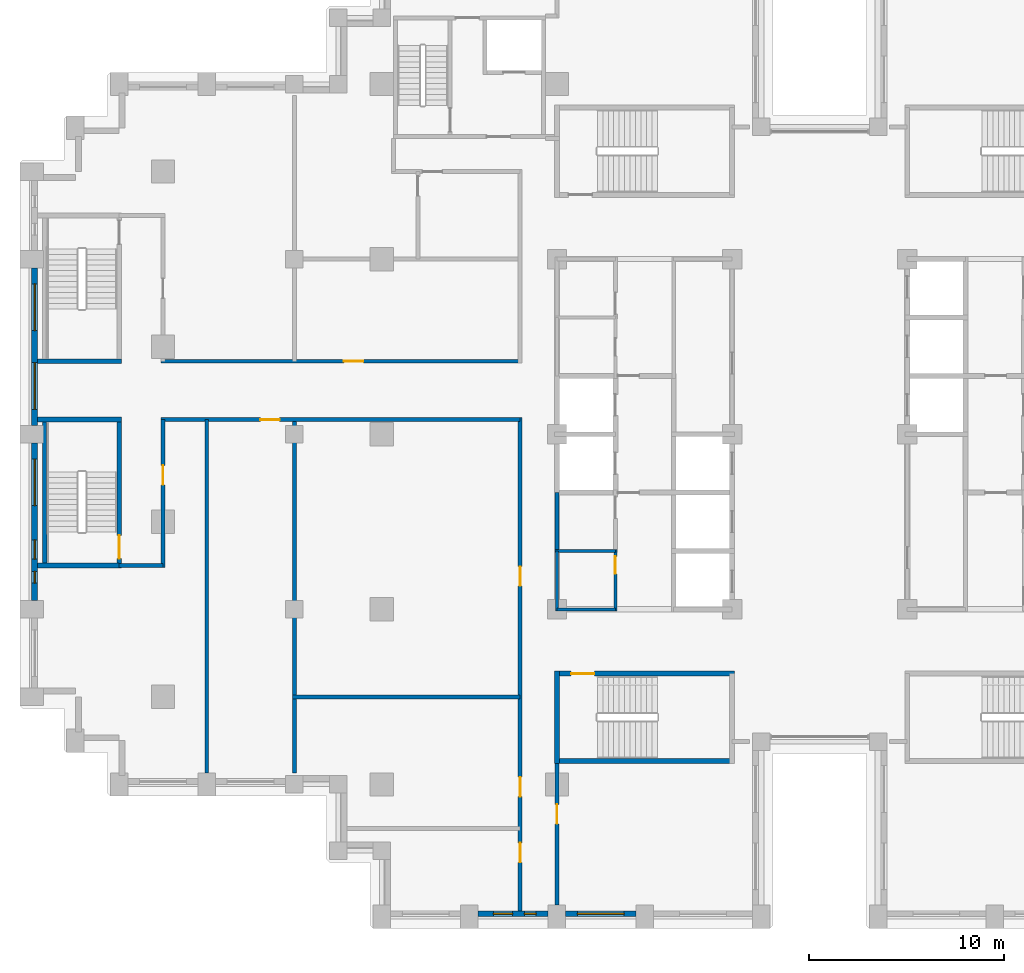
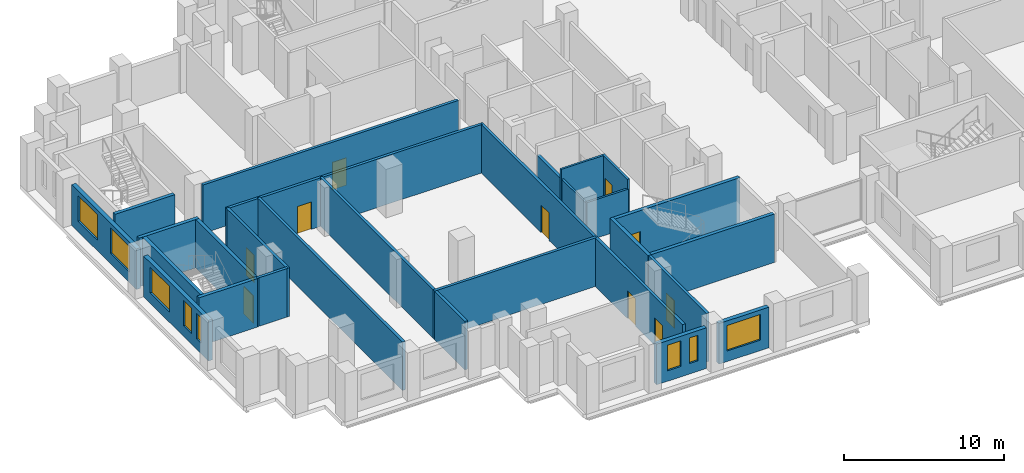
# One storey, part 6 of 15: 26 walls, 10 doors, 8 windows, 18 openings.
"""IFC4 building model written with IfcOpenShell, lengths in metres."""

from ifc_helpers import new_model, si_unit, direction, frame, frame_2d, origin, place, context, subcontext, project, spatial, rectangle, extrude, material, layer, layer_set, type_object, element, fill, save


model = new_model("IFC4")

# Units and contexts
model_context = context("Model", 3, precision=1e-05, world=origin(), true_north=direction((0.0, 1.0)))
body_context = subcontext(model_context, "Body", "Model", "MODEL_VIEW")
ifc_project = project(units=[si_unit("LENGTHUNIT", "METRE"), si_unit("AREAUNIT", "SQUARE_METRE"), si_unit("VOLUMEUNIT", "CUBIC_METRE"), si_unit("PLANEANGLEUNIT", "RADIAN"), si_unit("MASSUNIT", "GRAM", prefix="KILO")], contexts=[model_context])

# Site, building, storey
site_placement = place(None, origin())
site = spatial("IfcSite", under=ifc_project, at=site_placement, CompositionType="ELEMENT")
building_placement = place(site_placement, origin())
building = spatial("IfcBuilding", under=site, at=building_placement, Name="Corbelhall Arena Tower", CompositionType="ELEMENT")
storey_placement = place(building_placement, frame((0.0, 0.0, 80.0)))
storey = spatial("IfcBuildingStorey", under=building, at=storey_placement, Name="L12", CompositionType="ELEMENT", Elevation=80.0)

# Wall, openings, windows
ifc_material_1 = material(Name="Precast concrete C40/50 with granite facing", Category="masonry")
ifc_layer_1 = layer(ifc_material_1, 0.300048828125)
ifc_layer_set_1 = layer_set([ifc_layer_1], Name="EV-IW1 Infill panel 300")
wall_type_1 = type_object("IfcWallType", Name="EV-IW1 Infill panel 300", PredefinedType="SOLIDWALL", material=ifc_layer_set_1)
wall_1_placement = place(storey_placement, frame((-40.35009765625, 8.550048828125, 0.0), z_axis=(0.0, 0.0, 1.0), x_axis=(0.0, -1.0, 0.0)))
wall_1 = element("IfcWall", 1, at=wall_1_placement, inside=storey, type_object=wall_type_1, Name="Infill panel IW1", PredefinedType="SOLIDWALL", context=body_context, shape_type="SweptSolid", body=[
    extrude(rectangle(XDim=8.10009765625, YDim=0.300048828125, at=frame_2d((4.050048828125, 0.0))), origin(), (0.0, 0.0, 1.0), 3.10009765625),
])
opening_1_placement = place(wall_1_placement, frame((0.824951171875, 0.0, 0.800048828125)))
opening_1 = element("IfcOpeningElement", 2, at=opening_1_placement, cuts=wall_1, Name="Opening WN1", PredefinedType="OPENING", context=body_context, shape_type="SweptSolid", body=[
    extrude(rectangle(XDim=2.39990234375, YDim=1.949951171875, at=frame_2d((1.199951171875, 0.97509765625))), frame((0.0, 0.14990234375, 0.0), z_axis=(0.0, -1.0, 0.0), x_axis=(1.0, 0.0, 0.0)), (0.0, 0.0, 1.0), 0.300048828125),
])
opening_2_placement = place(wall_1_placement, frame((4.875, 0.0, 0.800048828125)))
opening_2 = element("IfcOpeningElement", 3, at=opening_2_placement, cuts=wall_1, Name="Opening WN1", PredefinedType="OPENING", context=body_context, shape_type="SweptSolid", body=[
    extrude(rectangle(XDim=2.39990234375, YDim=1.949951171875, at=frame_2d((1.199951171875, 0.97509765625))), frame((0.0, 0.14990234375, 0.0), z_axis=(0.0, -1.0, 0.0), x_axis=(1.0, 0.0, 0.0)), (0.0, 0.0, 1.0), 0.300048828125),
])
ifc_material_2 = material(Name="Aluminium black anodised", Category="aluminium")
window_type_1 = type_object("IfcWindowType", Name="EV-WN1 Office window", PartitioningType="SINGLE_PANEL", PredefinedType="WINDOW", material=ifc_material_2)
window_1_placement = place(opening_1_placement, origin())
window_1 = element("IfcWindow", 4, at=window_1_placement, inside=storey, type_object=window_type_1, Name="Window WN1", OverallHeight=1.949951171875, OverallWidth=2.39990234375, PartitioningType="SINGLE_PANEL", PredefinedType="WINDOW", context=body_context, shape_type="SweptSolid", body=[
    extrude(rectangle(XDim=2.39990234375, YDim=1.949951171875, at=frame_2d((1.199951171875, 0.97509765625))), frame((0.0, 0.030029296875, 0.0), z_axis=(0.0, -1.0, 0.0), x_axis=(1.0, 0.0, 0.0)), (0.0, 0.0, 1.0), 0.06005859375),
])
fill(opening_1, window_1)
window_2_placement = place(opening_2_placement, origin())
window_2 = element("IfcWindow", 5, at=window_2_placement, inside=storey, type_object=window_type_1, Name="Window WN1", OverallHeight=1.949951171875, OverallWidth=2.39990234375, PartitioningType="SINGLE_PANEL", PredefinedType="WINDOW", context=body_context, shape_type="SweptSolid", body=[
    extrude(rectangle(XDim=2.39990234375, YDim=1.949951171875, at=frame_2d((1.199951171875, 0.97509765625))), frame((0.0, 0.030029296875, 0.0), z_axis=(0.0, -1.0, 0.0), x_axis=(1.0, 0.0, 0.0)), (0.0, 0.0, 1.0), 0.06005859375),
])
fill(opening_2, window_2)

wall_2_placement = place(storey_placement, frame((-40.35009765625, -0.449951171875, 0.0), z_axis=(0.0, 0.0, 1.0), x_axis=(0.0, -1.0, 0.0)))
wall_2 = element("IfcWall", 6, at=wall_2_placement, inside=storey, type_object=wall_type_1, Name="Infill panel IW1", PredefinedType="SOLIDWALL", context=body_context, shape_type="SweptSolid", body=[
    extrude(rectangle(XDim=8.10009765625, YDim=0.300048828125, at=frame_2d((4.050048828125, 0.0))), origin(), (0.0, 0.0, 1.0), 3.10009765625),
])
opening_3_placement = place(wall_2_placement, frame((0.824951171875, 0.0, 0.800048828125)))
opening_3 = element("IfcOpeningElement", 7, at=opening_3_placement, cuts=wall_2, Name="Opening WN1", PredefinedType="OPENING", context=body_context, shape_type="SweptSolid", body=[
    extrude(rectangle(XDim=2.39990234375, YDim=1.949951171875, at=frame_2d((1.199951171875, 0.97509765625))), frame((0.0, 0.14990234375, 0.0), z_axis=(0.0, -1.0, 0.0), x_axis=(1.0, 0.0, 0.0)), (0.0, 0.0, 1.0), 0.300048828125),
])
opening_4_placement = place(wall_2_placement, frame((4.97509765625, 0.0, 0.800048828125)))
opening_4 = element("IfcOpeningElement", 8, at=opening_4_placement, cuts=wall_2, Name="Opening WN6", PredefinedType="OPENING", context=body_context, shape_type="SweptSolid", body=[
    extrude(rectangle(XDim=1.0, YDim=1.949951171875, at=frame_2d((0.5, 0.97509765625))), frame((0.0, 0.14990234375, 0.0), z_axis=(0.0, -1.0, 0.0), x_axis=(1.0, 0.0, 0.0)), (0.0, 0.0, 1.0), 0.300048828125),
])
opening_5_placement = place(wall_2_placement, frame((6.60009765625, 0.0, 0.800048828125)))
opening_5 = element("IfcOpeningElement", 9, at=opening_5_placement, cuts=wall_2, Name="Opening WN5", PredefinedType="OPENING", context=body_context, shape_type="SweptSolid", body=[
    extrude(rectangle(XDim=0.60009765625, YDim=1.949951171875, at=frame_2d((0.300048828125, 0.97509765625))), frame((0.0, 0.14990234375, 0.0), z_axis=(0.0, -1.0, 0.0), x_axis=(1.0, 0.0, 0.0)), (0.0, 0.0, 1.0), 0.300048828125),
])
window_3_placement = place(opening_3_placement, origin())
window_3 = element("IfcWindow", 10, at=window_3_placement, inside=storey, type_object=window_type_1, Name="Window WN1", OverallHeight=1.949951171875, OverallWidth=2.39990234375, PartitioningType="SINGLE_PANEL", PredefinedType="WINDOW", context=body_context, shape_type="SweptSolid", body=[
    extrude(rectangle(XDim=2.39990234375, YDim=1.949951171875, at=frame_2d((1.199951171875, 0.97509765625))), frame((0.0, 0.030029296875, 0.0), z_axis=(0.0, -1.0, 0.0), x_axis=(1.0, 0.0, 0.0)), (0.0, 0.0, 1.0), 0.06005859375),
])
fill(opening_3, window_3)
window_type_2 = type_object("IfcWindowType", Name="EV-WN5 Office window 600", PartitioningType="SINGLE_PANEL", PredefinedType="WINDOW", material=ifc_material_2)
window_4_placement = place(opening_5_placement, origin())
window_4 = element("IfcWindow", 11, at=window_4_placement, inside=storey, type_object=window_type_2, Name="Window WN5", OverallHeight=1.949951171875, OverallWidth=0.60009765625, PartitioningType="SINGLE_PANEL", PredefinedType="WINDOW", context=body_context, shape_type="SweptSolid", body=[
    extrude(rectangle(XDim=0.60009765625, YDim=1.949951171875, at=frame_2d((0.300048828125, 0.97509765625))), frame((0.0, 0.030029296875, 0.0), z_axis=(0.0, -1.0, 0.0), x_axis=(1.0, 0.0, 0.0)), (0.0, 0.0, 1.0), 0.06005859375),
])
fill(opening_5, window_4)
window_type_3 = type_object("IfcWindowType", Name="EV-WN6 Office window 1000", PartitioningType="SINGLE_PANEL", PredefinedType="WINDOW", material=ifc_material_2)
window_5_placement = place(opening_4_placement, origin())
window_5 = element("IfcWindow", 12, at=window_5_placement, inside=storey, type_object=window_type_3, Name="Window WN6", OverallHeight=1.949951171875, OverallWidth=1.0, PartitioningType="SINGLE_PANEL", PredefinedType="WINDOW", context=body_context, shape_type="SweptSolid", body=[
    extrude(rectangle(XDim=1.0, YDim=1.949951171875, at=frame_2d((0.5, 0.97509765625))), frame((0.0, 0.030029296875, 0.0), z_axis=(0.0, -1.0, 0.0), x_axis=(1.0, 0.0, 0.0)), (0.0, 0.0, 1.0), 0.06005859375),
])
fill(opening_4, window_5)

wall_3_placement = place(storey_placement, frame((-17.550048828125, -24.64990234375, 0.0), z_axis=(0.0, 0.0, 1.0), x_axis=(1.0, 0.0, 0.0)))
wall_3 = element("IfcWall", 13, at=wall_3_placement, inside=storey, type_object=wall_type_1, Name="Infill panel IW1", PredefinedType="SOLIDWALL", context=body_context, shape_type="SweptSolid", body=[
    extrude(rectangle(XDim=3.60009765625, YDim=0.300048828125, at=frame_2d((1.800048828125, 0.0))), origin(), (0.0, 0.0, 1.0), 3.10009765625),
])
opening_6_placement = place(wall_3_placement, frame((0.77490234375, 0.0, 0.800048828125)))
opening_6 = element("IfcOpeningElement", 14, at=opening_6_placement, cuts=wall_3, Name="Opening WN6", PredefinedType="OPENING", context=body_context, shape_type="SweptSolid", body=[
    extrude(rectangle(XDim=1.0, YDim=1.949951171875, at=frame_2d((0.5, 0.97509765625))), frame((0.0, 0.14990234375, 0.0), z_axis=(0.0, -1.0, 0.0), x_axis=(1.0, 0.0, 0.0)), (0.0, 0.0, 1.0), 0.300048828125),
])
opening_7_placement = place(wall_3_placement, frame((2.375, 0.0, 0.800048828125)))
opening_7 = element("IfcOpeningElement", 15, at=opening_7_placement, cuts=wall_3, Name="Opening WN5", PredefinedType="OPENING", context=body_context, shape_type="SweptSolid", body=[
    extrude(rectangle(XDim=0.60009765625, YDim=1.949951171875, at=frame_2d((0.300048828125, 0.97509765625))), frame((0.0, 0.14990234375, 0.0), z_axis=(0.0, -1.0, 0.0), x_axis=(1.0, 0.0, 0.0)), (0.0, 0.0, 1.0), 0.300048828125),
])
window_6_placement = place(opening_7_placement, origin())
window_6 = element("IfcWindow", 16, at=window_6_placement, inside=storey, type_object=window_type_2, Name="Window WN5", OverallHeight=1.949951171875, OverallWidth=0.60009765625, PartitioningType="SINGLE_PANEL", PredefinedType="WINDOW", context=body_context, shape_type="SweptSolid", body=[
    extrude(rectangle(XDim=0.60009765625, YDim=1.949951171875, at=frame_2d((0.300048828125, 0.97509765625))), frame((0.0, 0.030029296875, 0.0), z_axis=(0.0, -1.0, 0.0), x_axis=(1.0, 0.0, 0.0)), (0.0, 0.0, 1.0), 0.06005859375),
])
fill(opening_7, window_6)
window_7_placement = place(opening_6_placement, origin())
window_7 = element("IfcWindow", 17, at=window_7_placement, inside=storey, type_object=window_type_3, Name="Window WN6", OverallHeight=1.949951171875, OverallWidth=1.0, PartitioningType="SINGLE_PANEL", PredefinedType="WINDOW", context=body_context, shape_type="SweptSolid", body=[
    extrude(rectangle(XDim=1.0, YDim=1.949951171875, at=frame_2d((0.5, 0.97509765625))), frame((0.0, 0.030029296875, 0.0), z_axis=(0.0, -1.0, 0.0), x_axis=(1.0, 0.0, 0.0)), (0.0, 0.0, 1.0), 0.06005859375),
])
fill(opening_6, window_7)

# Wall, opening, window
wall_4_placement = place(storey_placement, frame((-13.050048828125, -24.64990234375, 0.0), z_axis=(0.0, 0.0, 1.0), x_axis=(1.0, 0.0, 0.0)))
wall_4 = element("IfcWall", 18, at=wall_4_placement, inside=storey, type_object=wall_type_1, Name="Infill panel IW1", PredefinedType="SOLIDWALL", context=body_context, shape_type="SweptSolid", body=[
    extrude(rectangle(XDim=3.60009765625, YDim=0.300048828125, at=frame_2d((1.800048828125, 0.0))), origin(), (0.0, 0.0, 1.0), 3.10009765625),
])
opening_8_placement = place(wall_4_placement, frame((0.60009765625, 0.0, 0.800048828125)))
opening_8 = element("IfcOpeningElement", 19, at=opening_8_placement, cuts=wall_4, Name="Opening WN1", PredefinedType="OPENING", context=body_context, shape_type="SweptSolid", body=[
    extrude(rectangle(XDim=2.39990234375, YDim=1.949951171875, at=frame_2d((1.199951171875, 0.97509765625))), frame((0.0, 0.14990234375, 0.0), z_axis=(0.0, -1.0, 0.0), x_axis=(1.0, 0.0, 0.0)), (0.0, 0.0, 1.0), 0.300048828125),
])
window_8_placement = place(opening_8_placement, origin())
window_8 = element("IfcWindow", 20, at=window_8_placement, inside=storey, type_object=window_type_1, Name="Window WN1", OverallHeight=1.949951171875, OverallWidth=2.39990234375, PartitioningType="SINGLE_PANEL", PredefinedType="WINDOW", context=body_context, shape_type="SweptSolid", body=[
    extrude(rectangle(XDim=2.39990234375, YDim=1.949951171875, at=frame_2d((1.199951171875, 0.97509765625))), frame((0.0, 0.030029296875, 0.0), z_axis=(0.0, -1.0, 0.0), x_axis=(1.0, 0.0, 0.0)), (0.0, 0.0, 1.0), 0.06005859375),
])
fill(opening_8, window_8)

# Wall, opening, door
ifc_material_3 = material(Name="Gypsum board on steel stud, acoustic", Category="steel")
ifc_layer_2 = layer(ifc_material_3, 0.199951171875)
ifc_layer_set_2 = layer_set([ifc_layer_2], Name="IN-W-DM200")
wall_type_2 = type_object("IfcWallType", Name="IN-W-DM200", PredefinedType="PARTITIONING", material=ifc_layer_set_2)
wall_5_placement = place(storey_placement, frame((-33.85009765625, 3.75, 0.0), z_axis=(0.0, 0.0, 1.0), x_axis=(1.0, 0.0, 0.0)))
wall_5 = element("IfcWall", 21, at=wall_5_placement, inside=storey, type_object=wall_type_2, Name="Partition 002", PredefinedType="PARTITIONING", context=body_context, shape_type="SweptSolid", body=[
    extrude(rectangle(XDim=18.4501953125, YDim=0.199951171875, at=frame_2d((9.22509765625, 0.0))), origin(), (0.0, 0.0, 1.0), 3.699951171875),
])
opening_9_placement = place(wall_5_placement, frame((9.39990234375, 0.0, 0.0)))
opening_9 = element("IfcOpeningElement", 22, at=opening_9_placement, cuts=wall_5, Name="Opening 02026", PredefinedType="OPENING", context=body_context, shape_type="SweptSolid", body=[
    extrude(rectangle(XDim=1.0, YDim=2.10009765625, at=frame_2d((0.5, 1.050048828125))), frame((0.0, 0.10009765625, 0.0), z_axis=(0.0, -1.0, 0.0), x_axis=(1.0, 0.0, 0.0)), (0.0, 0.0, 1.0), 0.199951171875),
])
ifc_material_4 = material(Name="Steel door set", Category="steel")
door_type_1 = type_object("IfcDoorType", Name="IN-D-SW100", OperationType="NOTDEFINED", PredefinedType="DOOR", material=ifc_material_4)
door_1_placement = place(opening_9_placement, origin())
door_1 = element("IfcDoor", 23, at=door_1_placement, inside=storey, type_object=door_type_1, Name="Door 026", OperationType="SINGLE_SWING_LEFT", OverallHeight=2.10009765625, OverallWidth=1.0, PredefinedType="DOOR", context=body_context, shape_type="SweptSolid", body=[
    extrude(rectangle(XDim=1.0, YDim=2.10009765625, at=frame_2d((0.5, 1.050048828125))), frame((0.0, 0.02490234375, 0.0), z_axis=(0.0, -1.0, 0.0), x_axis=(1.0, 0.0, 0.0)), (0.0, 0.0, 1.0), 0.050048828125),
])
fill(opening_9, door_1)

# Wall
wall_6_placement = place(storey_placement, frame((-33.75, -6.75, 0.0), z_axis=(0.0, 0.0, 1.0), x_axis=(-1.0, 0.0, 0.0)))
element("IfcWall", 24, at=wall_6_placement, inside=storey, type_object=wall_type_2, Name="Partition 003", PredefinedType="PARTITIONING", context=body_context, shape_type="SweptSolid", body=[
    extrude(rectangle(XDim=2.25, YDim=0.199951171875, at=frame_2d((1.125, 0.0))), origin(), (0.0, 0.0, 1.0), 3.699951171875),
])

# Wall, opening, door
wall_7_placement = place(storey_placement, frame((-33.75, 0.75, 0.0), z_axis=(0.0, 0.0, 1.0), x_axis=(0.0, -1.0, 0.0)))
wall_7 = element("IfcWall", 25, at=wall_7_placement, inside=storey, type_object=wall_type_2, Name="Partition 004", PredefinedType="PARTITIONING", context=body_context, shape_type="SweptSolid", body=[
    extrude(rectangle(XDim=7.60009765625, YDim=0.199951171875, at=frame_2d((3.800048828125, 0.0))), origin(), (0.0, 0.0, 1.0), 3.699951171875),
])
opening_10_placement = place(wall_7_placement, frame((2.35009765625, 0.0, 0.0)))
opening_10 = element("IfcOpeningElement", 26, at=opening_10_placement, cuts=wall_7, Name="Opening 02038", PredefinedType="OPENING", context=body_context, shape_type="SweptSolid", body=[
    extrude(rectangle(XDim=1.0, YDim=2.10009765625, at=frame_2d((0.5, 1.050048828125))), frame((0.0, 0.10009765625, 0.0), z_axis=(0.0, -1.0, 0.0), x_axis=(1.0, 0.0, 0.0)), (0.0, 0.0, 1.0), 0.199951171875),
])
door_2_placement = place(opening_10_placement, origin())
door_2 = element("IfcDoor", 27, at=door_2_placement, inside=storey, type_object=door_type_1, Name="Door 038", OperationType="SINGLE_SWING_LEFT", OverallHeight=2.10009765625, OverallWidth=1.0, PredefinedType="DOOR", context=body_context, shape_type="SweptSolid", body=[
    extrude(rectangle(XDim=1.0, YDim=2.10009765625, at=frame_2d((0.5, 1.050048828125))), frame((0.0, 0.02490234375, 0.0), z_axis=(0.0, -1.0, 0.0), x_axis=(1.0, 0.0, 0.0)), (0.0, 0.0, 1.0), 0.050048828125),
])
fill(opening_10, door_2)

# Wall
wall_8_placement = place(storey_placement, frame((-31.5, 0.75, 0.0), z_axis=(0.0, 0.0, 1.0), x_axis=(0.0, -1.0, 0.0)))
element("IfcWall", 28, at=wall_8_placement, inside=storey, type_object=wall_type_2, Name="Partition 006", PredefinedType="PARTITIONING", context=body_context, shape_type="SweptSolid", body=[
    extrude(rectangle(XDim=18.14990234375, YDim=0.199951171875, at=frame_2d((9.074951171875, 0.0))), origin(), (0.0, 0.0, 1.0), 3.699951171875),
])

# Wall, opening, door
wall_9_placement = place(storey_placement, frame((-15.39990234375, 0.75, 0.0), z_axis=(0.0, 0.0, 1.0), x_axis=(-1.0, 0.0, 0.0)))
wall_9 = element("IfcWall", 29, at=wall_9_placement, inside=storey, type_object=wall_type_2, Name="Partition 007", PredefinedType="PARTITIONING", context=body_context, shape_type="SweptSolid", body=[
    extrude(rectangle(XDim=18.4501953125, YDim=0.199951171875, at=frame_2d((9.22509765625, 0.0))), origin(), (0.0, 0.0, 1.0), 3.699951171875),
])
opening_11_placement = place(wall_9_placement, frame((12.35009765625, 0.0, 0.0)))
opening_11 = element("IfcOpeningElement", 30, at=opening_11_placement, cuts=wall_9, Name="Opening 02039", PredefinedType="OPENING", context=body_context, shape_type="SweptSolid", body=[
    extrude(rectangle(XDim=1.0, YDim=2.10009765625, at=frame_2d((0.5, 1.050048828125))), frame((0.0, 0.10009765625, 0.0), z_axis=(0.0, -1.0, 0.0), x_axis=(1.0, 0.0, 0.0)), (0.0, 0.0, 1.0), 0.199951171875),
])
door_3_placement = place(opening_11_placement, origin())
door_3 = element("IfcDoor", 31, at=door_3_placement, inside=storey, type_object=door_type_1, Name="Door 039", OperationType="SINGLE_SWING_RIGHT", OverallHeight=2.10009765625, OverallWidth=1.0, PredefinedType="DOOR", context=body_context, shape_type="SweptSolid", body=[
    extrude(rectangle(XDim=1.0, YDim=2.10009765625, at=frame_2d((0.5, 1.050048828125))), frame((0.0, 0.02490234375, 0.0), z_axis=(0.0, -1.0, 0.0), x_axis=(1.0, 0.0, 0.0)), (0.0, 0.0, 1.0), 0.050048828125),
])
fill(opening_11, door_3)

# Walls
wall_10_placement = place(storey_placement, frame((-27.10009765625, -13.5, 0.0), z_axis=(0.0, 0.0, 1.0), x_axis=(1.0, 0.0, 0.0)))
element("IfcWall", 32, at=wall_10_placement, inside=storey, type_object=wall_type_2, Name="Partition 008", PredefinedType="PARTITIONING", context=body_context, shape_type="SweptSolid", body=[
    extrude(rectangle(XDim=11.7001953125, YDim=0.199951171875, at=frame_2d((5.85009765625, 0.0))), origin(), (0.0, 0.0, 1.0), 3.699951171875),
])
wall_11_placement = place(storey_placement, frame((-27.0, -17.39990234375, 0.0), z_axis=(0.0, 0.0, 1.0), x_axis=(0.0, 1.0, 0.0)))
element("IfcWall", 33, at=wall_11_placement, inside=storey, type_object=wall_type_2, Name="Partition 010", PredefinedType="PARTITIONING", context=body_context, shape_type="SweptSolid", body=[
    extrude(rectangle(XDim=18.14990234375, YDim=0.199951171875, at=frame_2d((9.074951171875, 0.0))), origin(), (0.0, 0.0, 1.0), 3.699951171875),
])

# Wall, openings, doors
wall_12_placement = place(storey_placement, frame((-15.39990234375, -24.5, 0.0), z_axis=(0.0, 0.0, 1.0), x_axis=(0.0, 1.0, 0.0)))
wall_12 = element("IfcWall", 34, at=wall_12_placement, inside=storey, type_object=wall_type_2, Name="Partition 016", PredefinedType="PARTITIONING", context=body_context, shape_type="SweptSolid", body=[
    extrude(rectangle(XDim=25.35009765625, YDim=0.199951171875, at=frame_2d((12.675048828125, 0.0))), origin(), (0.0, 0.0, 1.0), 3.699951171875),
])
opening_12_placement = place(wall_12_placement, frame((2.5, 0.0, 0.0)))
opening_12 = element("IfcOpeningElement", 35, at=opening_12_placement, cuts=wall_12, Name="Opening 02029", PredefinedType="OPENING", context=body_context, shape_type="SweptSolid", body=[
    extrude(rectangle(XDim=1.0, YDim=2.10009765625, at=frame_2d((0.5, 1.050048828125))), frame((0.0, 0.10009765625, 0.0), z_axis=(0.0, -1.0, 0.0), x_axis=(1.0, 0.0, 0.0)), (0.0, 0.0, 1.0), 0.199951171875),
])
opening_13_placement = place(wall_12_placement, frame((5.875, 0.0, 0.0)))
opening_13 = element("IfcOpeningElement", 36, at=opening_13_placement, cuts=wall_12, Name="Opening 02030", PredefinedType="OPENING", context=body_context, shape_type="SweptSolid", body=[
    extrude(rectangle(XDim=1.0, YDim=2.10009765625, at=frame_2d((0.5, 1.050048828125))), frame((0.0, 0.10009765625, 0.0), z_axis=(0.0, -1.0, 0.0), x_axis=(1.0, 0.0, 0.0)), (0.0, 0.0, 1.0), 0.199951171875),
])
opening_14_placement = place(wall_12_placement, frame((16.699951171875, 0.0, 0.0)))
opening_14 = element("IfcOpeningElement", 37, at=opening_14_placement, cuts=wall_12, Name="Opening 02031", PredefinedType="OPENING", context=body_context, shape_type="SweptSolid", body=[
    extrude(rectangle(XDim=1.0, YDim=2.10009765625, at=frame_2d((0.5, 1.050048828125))), frame((0.0, 0.10009765625, 0.0), z_axis=(0.0, -1.0, 0.0), x_axis=(1.0, 0.0, 0.0)), (0.0, 0.0, 1.0), 0.199951171875),
])
door_4_placement = place(opening_12_placement, origin())
door_4 = element("IfcDoor", 38, at=door_4_placement, inside=storey, type_object=door_type_1, Name="Door 029", OperationType="SINGLE_SWING_RIGHT", OverallHeight=2.10009765625, OverallWidth=1.0, PredefinedType="DOOR", context=body_context, shape_type="SweptSolid", body=[
    extrude(rectangle(XDim=1.0, YDim=2.10009765625, at=frame_2d((0.5, 1.050048828125))), frame((0.0, 0.02490234375, 0.0), z_axis=(0.0, -1.0, 0.0), x_axis=(1.0, 0.0, 0.0)), (0.0, 0.0, 1.0), 0.050048828125),
])
fill(opening_12, door_4)
door_5_placement = place(opening_13_placement, origin())
door_5 = element("IfcDoor", 39, at=door_5_placement, inside=storey, type_object=door_type_1, Name="Door 030", OperationType="SINGLE_SWING_LEFT", OverallHeight=2.10009765625, OverallWidth=1.0, PredefinedType="DOOR", context=body_context, shape_type="SweptSolid", body=[
    extrude(rectangle(XDim=1.0, YDim=2.10009765625, at=frame_2d((0.5, 1.050048828125))), frame((0.0, 0.02490234375, 0.0), z_axis=(0.0, -1.0, 0.0), x_axis=(1.0, 0.0, 0.0)), (0.0, 0.0, 1.0), 0.050048828125),
])
fill(opening_13, door_5)
door_6_placement = place(opening_14_placement, origin())
door_6 = element("IfcDoor", 40, at=door_6_placement, inside=storey, type_object=door_type_1, Name="Door 031", OperationType="SINGLE_SWING_RIGHT", OverallHeight=2.10009765625, OverallWidth=1.0, PredefinedType="DOOR", context=body_context, shape_type="SweptSolid", body=[
    extrude(rectangle(XDim=1.0, YDim=2.10009765625, at=frame_2d((0.5, 1.050048828125))), frame((0.0, 0.02490234375, 0.0), z_axis=(0.0, -1.0, 0.0), x_axis=(1.0, 0.0, 0.0)), (0.0, 0.0, 1.0), 0.050048828125),
])
fill(opening_14, door_6)

# Wall, opening, door
wall_13_placement = place(storey_placement, frame((-13.5, -16.675048828125, 0.0), z_axis=(0.0, 0.0, 1.0), x_axis=(0.0, -1.0, 0.0)))
wall_13 = element("IfcWall", 41, at=wall_13_placement, inside=storey, type_object=wall_type_2, Name="Partition 019", PredefinedType="PARTITIONING", context=body_context, shape_type="SweptSolid", body=[
    extrude(rectangle(XDim=7.52490234375, YDim=0.199951171875, at=frame_2d((3.762451171875, 0.0))), origin(), (0.0, 0.0, 1.0), 3.699951171875),
])
opening_15_placement = place(wall_13_placement, frame((2.35009765625, 0.0, 0.0)))
opening_15 = element("IfcOpeningElement", 42, at=opening_15_placement, cuts=wall_13, Name="Opening 02024", PredefinedType="OPENING", context=body_context, shape_type="SweptSolid", body=[
    extrude(rectangle(XDim=1.0, YDim=2.10009765625, at=frame_2d((0.5, 1.050048828125))), frame((0.0, 0.10009765625, 0.0), z_axis=(0.0, -1.0, 0.0), x_axis=(1.0, 0.0, 0.0)), (0.0, 0.0, 1.0), 0.199951171875),
])
door_7_placement = place(opening_15_placement, origin())
door_7 = element("IfcDoor", 43, at=door_7_placement, inside=storey, type_object=door_type_1, Name="Door 024", OperationType="SINGLE_SWING_LEFT", OverallHeight=2.10009765625, OverallWidth=1.0, PredefinedType="DOOR", context=body_context, shape_type="SweptSolid", body=[
    extrude(rectangle(XDim=1.0, YDim=2.10009765625, at=frame_2d((0.5, 1.050048828125))), frame((0.0, 0.02490234375, 0.0), z_axis=(0.0, -1.0, 0.0), x_axis=(1.0, 0.0, 0.0)), (0.0, 0.0, 1.0), 0.050048828125),
])
fill(opening_15, door_7)

# Walls
ifc_material_5 = material(Name="Concrete block wall", Category="concrete")
ifc_layer_3 = layer(ifc_material_5, 0.199951171875)
ifc_layer_set_3 = layer_set([ifc_layer_3], Name="IN-W-RS200 under beam 762 mm")
wall_type_3 = type_object("IfcWallType", Name="IN-W-RS200 under beam 762 mm", PredefinedType="SOLIDWALL", material=ifc_layer_set_3)
wall_14_placement = place(storey_placement, frame((-13.5, -6.0, 0.0), z_axis=(0.0, 0.0, 1.0), x_axis=(0.0, 1.0, 0.0)))
element("IfcWall", 44, at=wall_14_placement, inside=storey, type_object=wall_type_3, Name="Partition 042", PredefinedType="SOLIDWALL", context=body_context, shape_type="SweptSolid", body=[
    extrude(rectangle(XDim=3.0, YDim=0.199951171875, at=frame_2d((1.5, 0.0))), origin(), (0.0, 0.0, 1.0), 2.93798828125),
])
ifc_material_6 = material(Name="Concrete C40/50", Category="concrete")
ifc_layer_4 = layer(ifc_material_6, 0.25)
ifc_layer_set_4 = layer_set([ifc_layer_4], Name="IN-W-ST250")
wall_type_4 = type_object("IfcWallType", Name="IN-W-ST250", PredefinedType="SOLIDWALL", material=ifc_layer_set_4)
wall_15_placement = place(storey_placement, frame((-40.199951171875, 3.75, 0.0), z_axis=(0.0, 0.0, 1.0), x_axis=(1.0, 0.0, 0.0)))
element("IfcWall", 45, at=wall_15_placement, inside=storey, type_object=wall_type_4, Name="Shaft wall 079", PredefinedType="SOLIDWALL", context=body_context, shape_type="SweptSolid", body=[
    extrude(rectangle(XDim=4.324951171875, YDim=0.25, at=frame_2d((2.16259765625, 0.0))), origin(), (0.0, 0.0, 1.0), 3.699951171875),
])
wall_16_placement = place(storey_placement, frame((-36.0, -6.75, 0.0), z_axis=(0.0, 0.0, 1.0), x_axis=(-1.0, 0.0, 0.0)))
element("IfcWall", 46, at=wall_16_placement, inside=storey, type_object=wall_type_4, Name="Shaft wall 081", PredefinedType="SOLIDWALL", context=body_context, shape_type="SweptSolid", body=[
    extrude(rectangle(XDim=4.199951171875, YDim=0.25, at=frame_2d((2.10009765625, 0.0))), origin(), (0.0, 0.0, 1.0), 3.699951171875),
])

# Wall, opening, door
wall_17_placement = place(storey_placement, frame((-36.0, 0.75, 0.0), z_axis=(0.0, 0.0, 1.0), x_axis=(0.0, -1.0, 0.0)))
wall_17 = element("IfcWall", 47, at=wall_17_placement, inside=storey, type_object=wall_type_4, Name="Shaft wall 082", PredefinedType="SOLIDWALL", context=body_context, shape_type="SweptSolid", body=[
    extrude(rectangle(XDim=7.625, YDim=0.25, at=frame_2d((3.8125, 0.0))), origin(), (0.0, 0.0, 1.0), 3.699951171875),
])
opening_16_placement = place(wall_17_placement, frame((5.949951171875, 0.0, 0.0)))
opening_16 = element("IfcOpeningElement", 48, at=opening_16_placement, cuts=wall_17, Name="Opening 02019", PredefinedType="OPENING", context=body_context, shape_type="SweptSolid", body=[
    extrude(rectangle(XDim=1.199951171875, YDim=2.10009765625, at=frame_2d((0.60009765625, 1.050048828125))), frame((0.0, 0.125, 0.0), z_axis=(0.0, -1.0, 0.0), x_axis=(1.0, 0.0, 0.0)), (0.0, 0.0, 1.0), 0.25),
])
door_type_2 = type_object("IfcDoorType", Name="IN-D-ST120", OperationType="NOTDEFINED", PredefinedType="DOOR", material=ifc_material_4)
door_8_placement = place(opening_16_placement, origin())
door_8 = element("IfcDoor", 49, at=door_8_placement, inside=storey, type_object=door_type_2, Name="Door 019", OperationType="SINGLE_SWING_RIGHT", OverallHeight=2.10009765625, OverallWidth=1.199951171875, PredefinedType="DOOR", context=body_context, shape_type="SweptSolid", body=[
    extrude(rectangle(XDim=1.199951171875, YDim=2.10009765625, at=frame_2d((0.60009765625, 1.050048828125))), frame((0.0, 0.02490234375, 0.0), z_axis=(0.0, -1.0, 0.0), x_axis=(1.0, 0.0, 0.0)), (0.0, 0.0, 1.0), 0.050048828125),
])
fill(opening_16, door_8)

# Walls
wall_18_placement = place(storey_placement, frame((-35.875, 0.75, 0.0), z_axis=(0.0, 0.0, 1.0), x_axis=(-1.0, 0.0, 0.0)))
element("IfcWall", 50, at=wall_18_placement, inside=storey, type_object=wall_type_4, Name="Shaft wall 084", PredefinedType="SOLIDWALL", context=body_context, shape_type="SweptSolid", body=[
    extrude(rectangle(XDim=4.324951171875, YDim=0.25, at=frame_2d((2.16259765625, 0.0))), origin(), (0.0, 0.0, 1.0), 3.699951171875),
])
wall_19_placement = place(storey_placement, frame((-13.5, -12.175048828125, 0.0), z_axis=(0.0, 0.0, 1.0), x_axis=(0.0, -1.0, 0.0)))
element("IfcWall", 51, at=wall_19_placement, inside=storey, type_object=wall_type_4, Name="Shaft wall 085", PredefinedType="SOLIDWALL", context=body_context, shape_type="SweptSolid", body=[
    extrude(rectangle(XDim=4.75, YDim=0.25, at=frame_2d((2.375, 0.0))), origin(), (0.0, 0.0, 1.0), 3.699951171875),
])
wall_20_placement = place(storey_placement, frame((-4.5, -16.800048828125, 0.0), z_axis=(0.0, 0.0, 1.0), x_axis=(-1.0, 0.0, 0.0)))
element("IfcWall", 52, at=wall_20_placement, inside=storey, type_object=wall_type_4, Name="Shaft wall 089", PredefinedType="SOLIDWALL", context=body_context, shape_type="SweptSolid", body=[
    extrude(rectangle(XDim=9.0, YDim=0.25, at=frame_2d((4.5, 0.0))), origin(), (0.0, 0.0, 1.0), 3.699951171875),
])

# Wall, opening, door
wall_21_placement = place(storey_placement, frame((-4.375, -12.300048828125, 0.0), z_axis=(0.0, 0.0, 1.0), x_axis=(-1.0, 0.0, 0.0)))
wall_21 = element("IfcWall", 53, at=wall_21_placement, inside=storey, type_object=wall_type_4, Name="Shaft wall 092", PredefinedType="SOLIDWALL", context=body_context, shape_type="SweptSolid", body=[
    extrude(rectangle(XDim=9.125, YDim=0.25, at=frame_2d((4.5625, 0.0))), origin(), (0.0, 0.0, 1.0), 3.699951171875),
])
opening_17_placement = place(wall_21_placement, frame((7.199951171875, 0.0, 0.0)))
opening_17 = element("IfcOpeningElement", 54, at=opening_17_placement, cuts=wall_21, Name="Opening 02015", PredefinedType="OPENING", context=body_context, shape_type="SweptSolid", body=[
    extrude(rectangle(XDim=1.199951171875, YDim=2.10009765625, at=frame_2d((0.60009765625, 1.050048828125))), frame((0.0, 0.125, 0.0), z_axis=(0.0, -1.0, 0.0), x_axis=(1.0, 0.0, 0.0)), (0.0, 0.0, 1.0), 0.25),
])
door_9_placement = place(opening_17_placement, origin())
door_9 = element("IfcDoor", 55, at=door_9_placement, inside=storey, type_object=door_type_2, Name="Door 015", OperationType="SINGLE_SWING_RIGHT", OverallHeight=2.10009765625, OverallWidth=1.199951171875, PredefinedType="DOOR", context=body_context, shape_type="SweptSolid", body=[
    extrude(rectangle(XDim=1.199951171875, YDim=2.10009765625, at=frame_2d((0.60009765625, 1.050048828125))), frame((0.0, 0.02490234375, 0.0), z_axis=(0.0, -1.0, 0.0), x_axis=(1.0, 0.0, 0.0)), (0.0, 0.0, 1.0), 0.050048828125),
])
fill(opening_17, door_9)

# Walls
wall_22_placement = place(storey_placement, frame((-39.824951171875, -6.625, 0.0), z_axis=(0.0, 0.0, 1.0), x_axis=(0.0, 1.0, 0.0)))
element("IfcWall", 56, at=wall_22_placement, inside=storey, type_object=wall_type_4, Name="Shaft wall SC2 facade side", PredefinedType="SOLIDWALL", context=body_context, shape_type="SweptSolid", body=[
    extrude(rectangle(XDim=7.25, YDim=0.25, at=frame_2d((3.625, 0.0))), origin(), (0.0, 0.0, 1.0), 3.699951171875),
])
ifc_material_7 = material(Name="Gypsum board on steel stud, moisture resistant", Category="steel")
ifc_layer_5 = layer(ifc_material_7, 0.14990234375)
ifc_layer_set_5 = layer_set([ifc_layer_5], Name="IN-W-WC150")
wall_type_5 = type_object("IfcWallType", Name="IN-W-WC150", PredefinedType="PARTITIONING", material=ifc_layer_set_5)
wall_23_placement = place(storey_placement, frame((-13.60009765625, -6.0, 0.0), z_axis=(0.0, 0.0, 1.0), x_axis=(1.0, 0.0, 0.0)))
element("IfcWall", 57, at=wall_23_placement, inside=storey, type_object=wall_type_5, Name="Partition 107", PredefinedType="PARTITIONING", context=body_context, shape_type="SweptSolid", body=[
    extrude(rectangle(XDim=3.10009765625, YDim=0.14990234375, at=frame_2d((1.550048828125, 0.0))), origin(), (0.0, 0.0, 1.0), 3.699951171875),
])

# Wall, opening, door
wall_24_placement = place(storey_placement, frame((-10.5, -9.074951171875, 0.0), z_axis=(0.0, 0.0, 1.0), x_axis=(0.0, 1.0, 0.0)))
wall_24 = element("IfcWall", 58, at=wall_24_placement, inside=storey, type_object=wall_type_5, Name="Partition 111", PredefinedType="PARTITIONING", context=body_context, shape_type="SweptSolid", body=[
    extrude(rectangle(XDim=3.14990234375, YDim=0.14990234375, at=frame_2d((1.574951171875, 0.0))), origin(), (0.0, 0.0, 1.0), 3.699951171875),
])
opening_18_placement = place(wall_24_placement, frame((1.89990234375, 0.0, 0.0)))
opening_18 = element("IfcOpeningElement", 59, at=opening_18_placement, cuts=wall_24, Name="Opening 02004", PredefinedType="OPENING", context=body_context, shape_type="SweptSolid", body=[
    extrude(rectangle(XDim=0.89990234375, YDim=2.10009765625, at=frame_2d((0.449951171875, 1.050048828125))), frame((0.0, 0.074951171875, 0.0), z_axis=(0.0, -1.0, 0.0), x_axis=(1.0, 0.0, 0.0)), (0.0, 0.0, 1.0), 0.14990234375),
])
ifc_material_8 = material(Name="Timber door set", Category="wood")
door_type_3 = type_object("IfcDoorType", Name="IN-D-SW90", OperationType="NOTDEFINED", PredefinedType="DOOR", material=ifc_material_8)
door_10_placement = place(opening_18_placement, origin())
door_10 = element("IfcDoor", 60, at=door_10_placement, inside=storey, type_object=door_type_3, Name="Door 004", OperationType="SINGLE_SWING_LEFT", OverallHeight=2.10009765625, OverallWidth=0.89990234375, PredefinedType="DOOR", context=body_context, shape_type="SweptSolid", body=[
    extrude(rectangle(XDim=0.89990234375, YDim=2.10009765625, at=frame_2d((0.449951171875, 1.050048828125))), frame((0.0, 0.02490234375, 0.0), z_axis=(0.0, -1.0, 0.0), x_axis=(1.0, 0.0, 0.0)), (0.0, 0.0, 1.0), 0.050048828125),
])
fill(opening_18, door_10)

# Walls
ifc_layer_6 = layer(ifc_material_7, 0.14990234375)
ifc_layer_set_6 = layer_set([ifc_layer_6], Name="IN-W-WC150 under beam 762 mm")
wall_type_6 = type_object("IfcWallType", Name="IN-W-WC150 under beam 762 mm", PredefinedType="PARTITIONING", material=ifc_layer_set_6)
wall_25_placement = place(storey_placement, frame((-13.5, -9.074951171875, 0.0), z_axis=(0.0, 0.0, 1.0), x_axis=(0.0, 1.0, 0.0)))
element("IfcWall", 61, at=wall_25_placement, inside=storey, type_object=wall_type_6, Name="Partition 109", PredefinedType="PARTITIONING", context=body_context, shape_type="SweptSolid", body=[
    extrude(rectangle(XDim=3.074951171875, YDim=0.14990234375, at=frame_2d((1.53759765625, 0.0))), origin(), (0.0, 0.0, 1.0), 2.93798828125),
])
wall_26_placement = place(storey_placement, frame((-10.5, -9.0, 0.0), z_axis=(0.0, 0.0, 1.0), x_axis=(-1.0, 0.0, 0.0)))
element("IfcWall", 62, at=wall_26_placement, inside=storey, type_object=wall_type_6, Name="Partition 112", PredefinedType="PARTITIONING", context=body_context, shape_type="SweptSolid", body=[
    extrude(rectangle(XDim=3.0, YDim=0.14990234375, at=frame_2d((1.5, 0.0))), origin(), (0.0, 0.0, 1.0), 2.93798828125),
])

save(model, "model.ifc")
